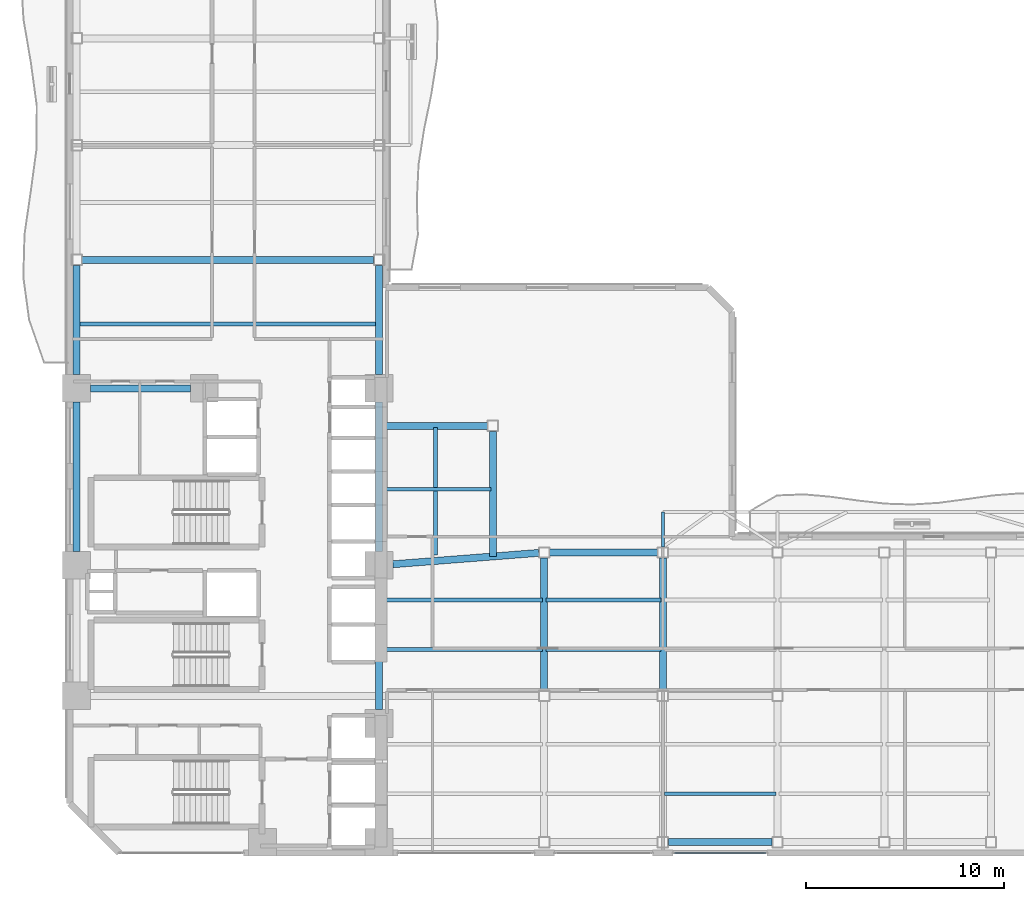
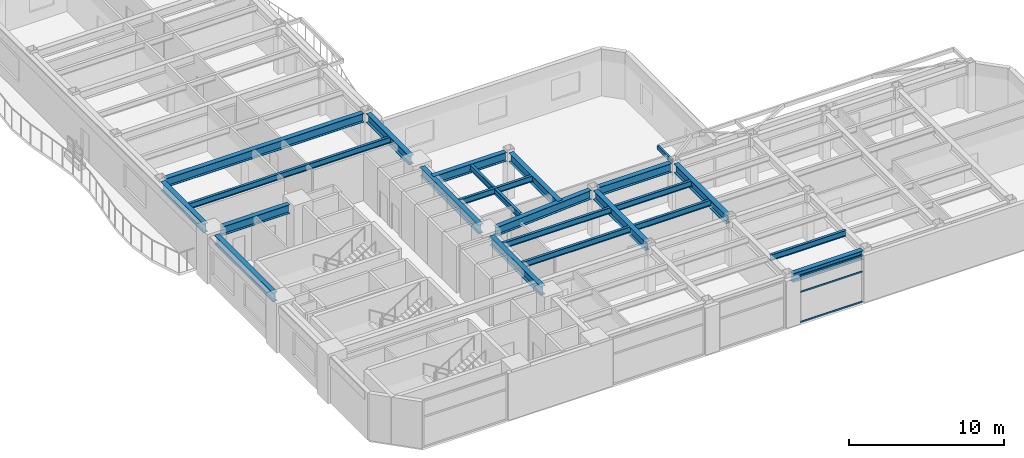
# One storey, part 6 of 16: 23 beams, 3 members, 1 element without a shape of its own.
"""IFC4 building model written with IfcOpenShell, lengths in metres."""

from ifc_helpers import new_model, si_unit, direction, frame, origin, origin_2d, place, context, subcontext, project, spatial, hollow_rectangle, i_section, extrude, material, layer, layer_set, material_profile, profile_set, type_object, element, aggregate, save


model = new_model("IFC4")

# Units and contexts
model_context = context("Model", 3, precision=1e-05, world=origin(), true_north=direction((0.0, 1.0)))
body_context = subcontext(model_context, "Body", "Model", "MODEL_VIEW")
ifc_project = project(units=[si_unit("LENGTHUNIT", "METRE"), si_unit("AREAUNIT", "SQUARE_METRE"), si_unit("VOLUMEUNIT", "CUBIC_METRE"), si_unit("PLANEANGLEUNIT", "RADIAN"), si_unit("MASSUNIT", "GRAM", prefix="KILO")], contexts=[model_context])

# Site, building, storey
site_placement = place(None, origin())
site = spatial("IfcSite", under=ifc_project, at=site_placement, CompositionType="ELEMENT")
building_placement = place(site_placement, origin())
building = spatial("IfcBuilding", under=site, at=building_placement, Name="Mawjaban Terraces University", CompositionType="ELEMENT")
storey_placement = place(building_placement, frame((0.0, 0.0, 38.800048828125)))
storey = spatial("IfcBuildingStorey", under=building, at=storey_placement, Name="L08", CompositionType="ELEMENT", Elevation=38.800048828125)

# Beams
ifc_material_1 = material(Name="Steel EN 10210-1 S355J2H", Category="steel")
ifc_material_profile_1 = material_profile(ifc_material_1, hollow_rectangle(XDim=0.14990234375, YDim=0.300048828125, WallThickness=0.012451171875, at=origin_2d()), Name="RHS300X150X12.5")
ifc_profile_set_1 = profile_set([ifc_material_profile_1], Name="Steel EN 10210-1 S355J2H")
beam_type_1 = type_object("IfcBeamType", Name="BalconyCantileverSpandrel_RHS", PredefinedType="SPANDREL", material=ifc_profile_set_1)
beam_1_placement = place(storey_placement, frame((52.0, 15.47509765625, 3.5400390625), z_axis=(0.0, 1.0, 0.0), x_axis=(-1.0, 0.0, 0.0)))
element("IfcBeam", 1, at=beam_1_placement, inside=storey, type_object=beam_type_1, Name="L08 Exterior Outrigger TER-L09-CLIMB.1", PredefinedType="SPANDREL", context=body_context, shape_type="SweptSolid", body=[
    extrude(hollow_rectangle(XDim=0.14990234375, YDim=0.300048828125, WallThickness=0.012451171875, at=origin_2d()), origin(), (0.0, 0.0, 1.0), 1.77490234375),
])
ifc_material_2 = material(Name="Steel ASTM A572 Grade 50", Category="steel")
ifc_material_profile_2 = material_profile(ifc_material_2, i_section(OverallWidth=0.35498046875, OverallDepth=0.695068359375, WebThickness=0.015380859375, FlangeThickness=0.02490234375, at=origin_2d()), Name="W690X217")
ifc_profile_set_2 = profile_set([ifc_material_profile_2], Name="Steel ASTM A572 Grade 50")
beam_type_2 = type_object("IfcBeamType", Name="Beam_B_W690X217", PredefinedType="BEAM", material=ifc_profile_set_2)
beam_2_placement = place(storey_placement, frame((52.27490234375, 0.550048828125, 3.343017578125), z_axis=(1.0, 0.0, 0.0), x_axis=(0.0, 1.0, 0.0)))
element("IfcBeam", 2, at=beam_2_placement, inside=storey, type_object=beam_type_2, Name="L08 Beam BM-L08-EW-03", PredefinedType="BEAM", context=body_context, shape_type="SweptSolid", body=[
    extrude(i_section(OverallWidth=0.35498046875, OverallDepth=0.695068359375, WebThickness=0.015380859375, FlangeThickness=0.02490234375, at=origin_2d()), origin(), (0.0, 0.0, 1.0), 5.25),
])
beam_3_placement = place(storey_placement, frame((46.27490234375, 15.199951171875, 3.343017578125), z_axis=(1.0, 0.0, 0.0), x_axis=(0.0, 1.0, 0.0)))
element("IfcBeam", 3, at=beam_3_placement, inside=storey, type_object=beam_type_2, Name="L08 Beam BM-L08-EW-09", PredefinedType="BEAM", context=body_context, shape_type="SweptSolid", body=[
    extrude(i_section(OverallWidth=0.35498046875, OverallDepth=0.695068359375, WebThickness=0.015380859375, FlangeThickness=0.02490234375, at=origin_2d()), origin(), (0.0, 0.0, 1.0), 5.4501953125),
])
beam_4_placement = place(storey_placement, frame((23.050048828125, 23.5, 3.343017578125), z_axis=(1.0, 0.0, 0.0), x_axis=(0.0, 1.0, 0.0)))
element("IfcBeam", 4, at=beam_4_placement, inside=storey, type_object=beam_type_2, Name="L08 Beam BM-L08-EW-14", PredefinedType="BEAM", context=body_context, shape_type="SweptSolid", body=[
    extrude(i_section(OverallWidth=0.35498046875, OverallDepth=0.695068359375, WebThickness=0.015380859375, FlangeThickness=0.02490234375, at=origin_2d()), origin(), (0.0, 0.0, 1.0), 5.050048828125),
])
beam_5_placement = place(storey_placement, frame((22.625, 30.0, 3.343017578125), z_axis=(1.0, 0.0, 0.0), x_axis=(0.0, 1.0, 0.0)))
element("IfcBeam", 5, at=beam_5_placement, inside=storey, type_object=beam_type_2, Name="L08 Beam BM-L08-EW-15", PredefinedType="BEAM", context=body_context, shape_type="SweptSolid", body=[
    extrude(i_section(OverallWidth=0.35498046875, OverallDepth=0.695068359375, WebThickness=0.015380859375, FlangeThickness=0.02490234375, at=origin_2d()), origin(), (0.0, 0.0, 1.0), 14.75),
])
beam_6_placement = place(storey_placement, frame((22.35009765625, 15.25, 3.343017578125), z_axis=(0.0, 1.0, 0.0), x_axis=(-1.0, 0.0, 0.0)))
element("IfcBeam", 6, at=beam_6_placement, inside=storey, type_object=beam_type_2, Name="L08 Beam BM-L08-NS-02", PredefinedType="BEAM", context=body_context, shape_type="SweptSolid", body=[
    extrude(i_section(OverallWidth=0.35498046875, OverallDepth=0.695068359375, WebThickness=0.015380859375, FlangeThickness=0.02490234375, at=origin_2d()), origin(), (0.0, 0.0, 1.0), 7.550048828125),
])
beam_7_placement = place(storey_placement, frame((22.35009765625, 24.199951171875, 3.343017578125), z_axis=(0.0, 1.0, 0.0), x_axis=(-1.0, 0.0, 0.0)))
element("IfcBeam", 7, at=beam_7_placement, inside=storey, type_object=beam_type_2, Name="L08 Beam BM-L08-NS-03", PredefinedType="BEAM", context=body_context, shape_type="SweptSolid", body=[
    extrude(i_section(OverallWidth=0.35498046875, OverallDepth=0.695068359375, WebThickness=0.015380859375, FlangeThickness=0.02490234375, at=origin_2d()), origin(), (0.0, 0.0, 1.0), 5.525146484375),
])
beam_8_placement = place(storey_placement, frame((37.64990234375, 7.25, 3.343017578125), z_axis=(0.0, 1.0, 0.0), x_axis=(-1.0, 0.0, 0.0)))
element("IfcBeam", 8, at=beam_8_placement, inside=storey, type_object=beam_type_2, Name="L08 Beam BM-L08-NS-08", PredefinedType="BEAM", context=body_context, shape_type="SweptSolid", body=[
    extrude(i_section(OverallWidth=0.35498046875, OverallDepth=0.695068359375, WebThickness=0.015380859375, FlangeThickness=0.02490234375, at=origin_2d()), origin(), (0.0, 0.0, 1.0), 6.60009765625),
])
beam_9_placement = place(storey_placement, frame((37.64990234375, 15.25, 3.343017578125), z_axis=(0.0, 1.0, 0.0), x_axis=(-1.0, 0.0, 0.0)))
element("IfcBeam", 9, at=beam_9_placement, inside=storey, type_object=beam_type_2, Name="L08 Beam BM-L08-NS-09", PredefinedType="BEAM", context=body_context, shape_type="SweptSolid", body=[
    extrude(i_section(OverallWidth=0.35498046875, OverallDepth=0.695068359375, WebThickness=0.015380859375, FlangeThickness=0.02490234375, at=origin_2d()), origin(), (0.0, 0.0, 1.0), 7.550048828125),
])
beam_10_placement = place(storey_placement, frame((37.64990234375, 24.199951171875, 3.343017578125), z_axis=(0.0, 1.0, 0.0), x_axis=(-1.0, 0.0, 0.0)))
element("IfcBeam", 10, at=beam_10_placement, inside=storey, type_object=beam_type_2, Name="L08 Beam BM-L08-NS-10", PredefinedType="BEAM", context=body_context, shape_type="SweptSolid", body=[
    extrude(i_section(OverallWidth=0.35498046875, OverallDepth=0.695068359375, WebThickness=0.015380859375, FlangeThickness=0.02490234375, at=origin_2d()), origin(), (0.0, 0.0, 1.0), 5.525146484375),
])
for number, where, z_axis, x_axis, name in (
    (11, (46.0, 8.22509765625, 3.343017578125), (0.0, 1.0, 0.0), (-1.0, 0.0, 0.0), "L08 Beam BM-L08-NS-15"),
    (12, (52.0, 8.22509765625, 3.343017578125), (0.0, 1.0, 0.0), (-1.0, 0.0, 0.0), "L08 Beam BM-L08-NS-17"),
):
    element("IfcBeam", number, at=place(storey_placement, frame(where, z_axis=z_axis, x_axis=x_axis)), inside=storey, type_object=beam_type_2, Name=name, PredefinedType="BEAM", context=body_context, shape_type="SweptSolid", body=[
        extrude(i_section(OverallWidth=0.35498046875, OverallDepth=0.695068359375, WebThickness=0.015380859375, FlangeThickness=0.02490234375, at=origin_2d()), origin(), (0.0, 0.0, 1.0), 6.699951171875),
    ])
beam_11_placement = place(storey_placement, frame((38.347900390625, 14.60400390625, 3.343017578125), z_axis=(0.996977531908, 0.077690416851, 0.0), x_axis=(-0.077690416851, 0.996977531908, 0.0)))
element("IfcBeam", 13, at=beam_11_placement, inside=storey, type_object=beam_type_2, Name="L08 Beam BM-L08-CTIE", PredefinedType="BEAM", context=body_context, shape_type="SweptSolid", body=[
    extrude(i_section(OverallWidth=0.35498046875, OverallDepth=0.695068359375, WebThickness=0.015380859375, FlangeThickness=0.02490234375, at=origin_2d()), origin(), (0.0, 0.0, 1.0), 7.400634765625),
])
beam_12_placement = place(storey_placement, frame((37.679931640625, 21.60009765625, 3.343017578125), z_axis=(1.0, 0.0, 0.0), x_axis=(0.0, 1.0, 0.0)))
element("IfcBeam", 14, at=beam_12_placement, inside=storey, type_object=beam_type_2, Name="L08 Spur Tie Girder West", PredefinedType="BEAM", context=body_context, shape_type="SweptSolid", body=[
    extrude(i_section(OverallWidth=0.35498046875, OverallDepth=0.695068359375, WebThickness=0.015380859375, FlangeThickness=0.02490234375, at=origin_2d()), origin(), (0.0, 0.0, 1.0), 5.445068359375),
])
beam_13_placement = place(storey_placement, frame((43.39990234375, 15.0, 3.343017578125), z_axis=(0.0, 1.0, 0.0), x_axis=(-1.0, 0.0, 0.0)))
element("IfcBeam", 15, at=beam_13_placement, inside=storey, type_object=beam_type_2, Name="L08 Spur Tie Girder South", PredefinedType="BEAM", context=body_context, shape_type="SweptSolid", body=[
    extrude(i_section(OverallWidth=0.35498046875, OverallDepth=0.695068359375, WebThickness=0.015380859375, FlangeThickness=0.02490234375, at=origin_2d()), origin(), (0.0, 0.0, 1.0), 6.324951171875),
])
ifc_material_profile_3 = material_profile(ifc_material_2, i_section(OverallWidth=0.19189453125, OverallDepth=0.462890625, WebThickness=0.010498046875, FlangeThickness=0.017578125, at=origin_2d()), Name="W460X89")
ifc_profile_set_3 = profile_set([ifc_material_profile_3], Name="Steel ASTM A572 Grade 50")
beam_type_3 = type_object("IfcBeamType", Name="Beam_J_W460X89", PredefinedType="JOIST", material=ifc_profile_set_3)
beam_14_placement = place(storey_placement, frame((52.080078125, 3.0, 3.458984375), z_axis=(1.0, 0.0, 0.0), x_axis=(0.0, 1.0, 0.0)))
element("IfcBeam", 16, at=beam_14_placement, inside=storey, type_object=beam_type_3, Name="L08 Composite Joist JST-L08-03", PredefinedType="JOIST", context=body_context, shape_type="SweptSolid", body=[
    extrude(i_section(OverallWidth=0.19189453125, OverallDepth=0.462890625, WebThickness=0.010498046875, FlangeThickness=0.017578125, at=origin_2d()), origin(), (0.0, 0.0, 1.0), 5.639892578125),
])
beam_15_placement = place(storey_placement, frame((37.72998046875, 10.300048828125, 3.458984375), z_axis=(1.0, 0.0, 0.0), x_axis=(0.0, 1.0, 0.0)))
element("IfcBeam", 17, at=beam_15_placement, inside=storey, type_object=beam_type_3, Name="L08 Composite Joist JST-L08-11", PredefinedType="JOIST", context=body_context, shape_type="SweptSolid", body=[
    extrude(i_section(OverallWidth=0.19189453125, OverallDepth=0.462890625, WebThickness=0.010498046875, FlangeThickness=0.017578125, at=origin_2d()), origin(), (0.0, 0.0, 1.0), 8.18994140625),
])
beam_16_placement = place(storey_placement, frame((46.080078125, 10.300048828125, 3.458984375), z_axis=(1.0, 0.0, 0.0), x_axis=(0.0, 1.0, 0.0)))
element("IfcBeam", 18, at=beam_16_placement, inside=storey, type_object=beam_type_3, Name="L08 Composite Joist JST-L08-12", PredefinedType="JOIST", context=body_context, shape_type="SweptSolid", body=[
    extrude(i_section(OverallWidth=0.19189453125, OverallDepth=0.462890625, WebThickness=0.010498046875, FlangeThickness=0.017578125, at=origin_2d()), origin(), (0.0, 0.0, 1.0), 5.83984375),
])
beam_17_placement = place(storey_placement, frame((37.72998046875, 12.800048828125, 3.458984375), z_axis=(1.0, 0.0, 0.0), x_axis=(0.0, 1.0, 0.0)))
element("IfcBeam", 19, at=beam_17_placement, inside=storey, type_object=beam_type_3, Name="L08 Composite Joist JST-L08-16", PredefinedType="JOIST", context=body_context, shape_type="SweptSolid", body=[
    extrude(i_section(OverallWidth=0.19189453125, OverallDepth=0.462890625, WebThickness=0.010498046875, FlangeThickness=0.017578125, at=origin_2d()), origin(), (0.0, 0.0, 1.0), 8.18994140625),
])
beam_18_placement = place(storey_placement, frame((46.080078125, 12.800048828125, 3.458984375), z_axis=(1.0, 0.0, 0.0), x_axis=(0.0, 1.0, 0.0)))
element("IfcBeam", 20, at=beam_18_placement, inside=storey, type_object=beam_type_3, Name="L08 Composite Joist JST-L08-17", PredefinedType="JOIST", context=body_context, shape_type="SweptSolid", body=[
    extrude(i_section(OverallWidth=0.19189453125, OverallDepth=0.462890625, WebThickness=0.010498046875, FlangeThickness=0.017578125, at=origin_2d()), origin(), (0.0, 0.0, 1.0), 5.83984375),
])
beam_19_placement = place(storey_placement, frame((37.72998046875, 18.39990234375, 3.458984375), z_axis=(1.0, 0.0, 0.0), x_axis=(0.0, 1.0, 0.0)))
element("IfcBeam", 21, at=beam_19_placement, inside=storey, type_object=beam_type_3, Name="L08 Composite Joist JST-L08-21", PredefinedType="JOIST", context=body_context, shape_type="SweptSolid", body=[
    extrude(i_section(OverallWidth=0.19189453125, OverallDepth=0.462890625, WebThickness=0.010498046875, FlangeThickness=0.017578125, at=origin_2d()), origin(), (0.0, 0.0, 1.0), 5.590087890625),
])
beam_20_placement = place(storey_placement, frame((22.429931640625, 26.75, 3.458984375), z_axis=(1.0, 0.0, 0.0), x_axis=(0.0, 1.0, 0.0)))
element("IfcBeam", 22, at=beam_20_placement, inside=storey, type_object=beam_type_3, Name="L08 Composite Joist JST-L08-22", PredefinedType="JOIST", context=body_context, shape_type="SweptSolid", body=[
    extrude(i_section(OverallWidth=0.19189453125, OverallDepth=0.462890625, WebThickness=0.010498046875, FlangeThickness=0.017578125, at=origin_2d()), origin(), (0.0, 0.0, 1.0), 15.14013671875),
])
beam_21_placement = place(storey_placement, frame((40.5, 15.080078125, 3.458984375), z_axis=(0.0, 1.0, 0.0), x_axis=(-1.0, 0.0, 0.0)))
element("IfcBeam", 23, at=beam_21_placement, inside=storey, type_object=beam_type_3, Name="L08 Composite Joist JST-L08-NS-26", PredefinedType="JOIST", context=body_context, shape_type="SweptSolid", body=[
    extrude(i_section(OverallWidth=0.19189453125, OverallDepth=0.462890625, WebThickness=0.010498046875, FlangeThickness=0.017578125, at=origin_2d()), origin(), (0.0, 0.0, 1.0), 6.43994140625),
])

# Curtain wall, members
ifc_material_3 = material(Name="Anodised aluminium 6063-T6 and solar-control low-E glass", Category="aluminium")
ifc_layer = layer(ifc_material_3, 0.1650390625)
ifc_layer_set = layer_set([ifc_layer], Name="Anodised aluminium 6063-T6 and solar-control low-E glass")
curtain_wall_type = type_object("IfcCurtainWallType", Name="CWSystem_04_EastWing", PredefinedType="NOTDEFINED", material=ifc_layer_set)
curtain_wall_placement = place(storey_placement, origin())
curtain_wall = element("IfcCurtainWall", 24, at=curtain_wall_placement, inside=storey, type_object=curtain_wall_type, Name="L08 Curtain Wall CW-04 Run 1.4", PredefinedType="NOTDEFINED")
ifc_material_4 = material(Name="Anodised aluminium 6063-T6", Category="aluminium")
ifc_material_profile_4 = material_profile(ifc_material_4, hollow_rectangle(XDim=0.06005859375, YDim=0.1201171875, WallThickness=0.00341796875, at=origin_2d()), Name="ALU120X60X3.5")
ifc_profile_set_4 = profile_set([ifc_material_profile_4], Name="Anodised aluminium 6063-T6")
member_type = type_object("IfcMemberType", Name="Transom_CW-04", PredefinedType="NOTDEFINED", material=ifc_profile_set_4)
member_1_placement = place(storey_placement, frame((52.590087890625, 0.0, 0.030029296875), z_axis=(1.0, 0.0, 0.0), x_axis=(0.0, 1.0, 0.0)))
member_1 = element("IfcMember", 25, at=member_1_placement, type_object=member_type, Name="CW-04 transom 1.1", ObjectType="TRANSOM", PredefinedType="USERDEFINED", context=body_context, shape_type="SweptSolid", body=[
    extrude(hollow_rectangle(XDim=0.06005859375, YDim=0.1201171875, WallThickness=0.00341796875, at=origin_2d()), origin(), (0.0, 0.0, 1.0), 4.619873046875),
])
member_2_placement = place(storey_placement, frame((52.590087890625, 0.0, 2.39892578125), z_axis=(1.0, 0.0, 0.0), x_axis=(0.0, 1.0, 0.0)))
member_2 = element("IfcMember", 26, at=member_2_placement, type_object=member_type, Name="CW-04 transom 1.2", ObjectType="TRANSOM", PredefinedType="USERDEFINED", context=body_context, shape_type="SweptSolid", body=[
    extrude(hollow_rectangle(XDim=0.06005859375, YDim=0.1201171875, WallThickness=0.00341796875, at=origin_2d()), origin(), (0.0, 0.0, 1.0), 4.619873046875),
])
member_3_placement = place(storey_placement, frame((52.590087890625, 0.0, 3.659912109375), z_axis=(1.0, 0.0, 0.0), x_axis=(0.0, 1.0, 0.0)))
member_3 = element("IfcMember", 27, at=member_3_placement, type_object=member_type, Name="CW-04 transom 1.3", ObjectType="TRANSOM", PredefinedType="USERDEFINED", context=body_context, shape_type="SweptSolid", body=[
    extrude(hollow_rectangle(XDim=0.06005859375, YDim=0.1201171875, WallThickness=0.00341796875, at=origin_2d()), origin(), (0.0, 0.0, 1.0), 4.619873046875),
])
aggregate(curtain_wall, [member_1, member_2, member_3])

save(model, "model.ifc")
